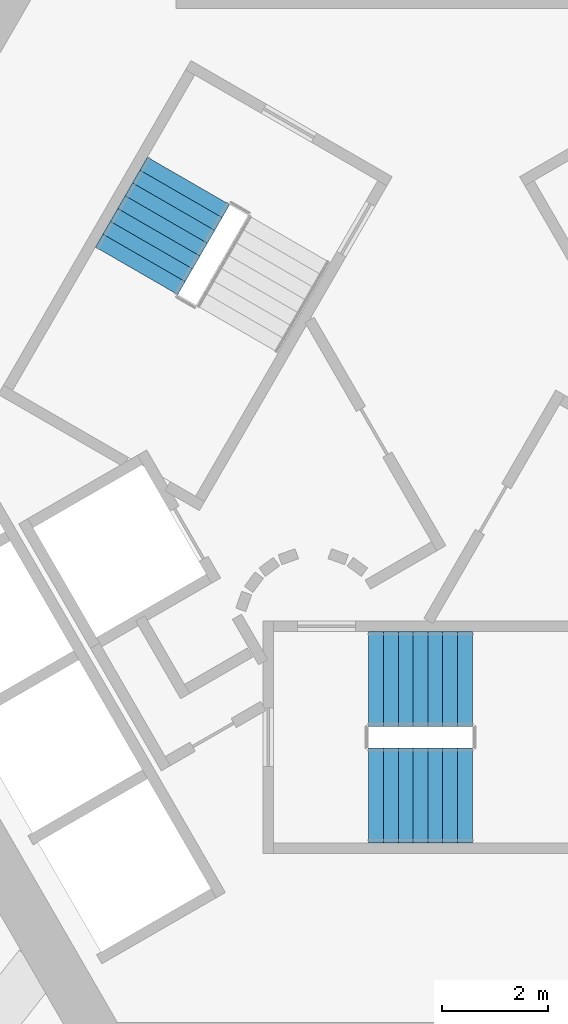
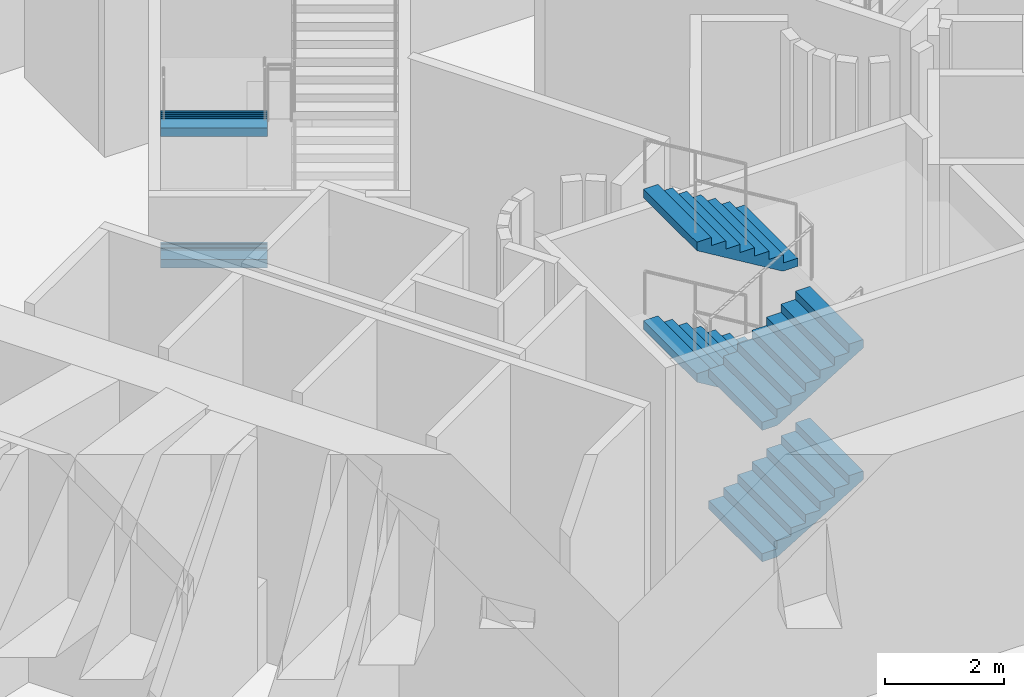
# One storey, part 12 of 21: 6 stair flights, 2 elements without a shape of their own.
"""IFC4 building model written with IfcOpenShell, lengths in metres."""

import ifcopenshell
import ifcopenshell.guid

model = None  # the IFC model being written
_history = None  # IfcOwnerHistory: only IFC2X3 demands one
_inside = {}  # id of a spatial element -> (the spatial element, [elements in it])
_under = {}  # id of a project, library or spatial element -> (it, [spatial elements below it])
_declared = {}  # id of a project -> (the project, [libraries it declares])
_typed = {}  # id of a type object -> (the type object, [elements of that type])
_made_of = {}  # id of a material, layer set ... -> (it, [elements and type objects made of it])


def new_model(schema):
    """Start an empty IFC model of exactly this schema.

    Asked for "IFC4X3", IfcOpenShell would pick the latest addendum, in which some entities
    have other attributes; the version numbers below select the first issue.
    IFC2X3 requires an IfcOwnerHistory on every rooted entity: one is made here for all.
    """
    global model, _history
    if schema == "IFC4X3":
        model = ifcopenshell.file(schema_version=(4, 3, 0, 0))
    else:
        model = ifcopenshell.file(schema=schema)
    _inside.clear()
    _under.clear()
    _declared.clear()
    _typed.clear()
    _made_of.clear()
    _history = None
    if model.schema == "IFC2X3":
        org = make("IfcOrganization", Name="unknown")
        user = make(
            "IfcPersonAndOrganization",
            ThePerson=make("IfcPerson", FamilyName="unknown"),
            TheOrganization=org,
        )
        app = make(
            "IfcApplication",
            ApplicationDeveloper=org,
            Version="unknown",
            ApplicationFullName="unknown",
            ApplicationIdentifier="unknown",
        )
        _history = make(
            "IfcOwnerHistory",
            OwningUser=user,
            OwningApplication=app,
            ChangeAction="ADDED",
            CreationDate=0,
        )
    return model


def make(cls, **values):
    """One entity of the class cls with the attributes given. An attribute that is None is left unset."""
    return model.create_entity(
        cls, **{name: value for name, value in values.items() if value is not None}
    )


def rooted(cls, **values):
    """An entity with a GlobalId (a new one), such as an element, a storey or a relation."""
    return make(cls, GlobalId=ifcopenshell.guid.new(), OwnerHistory=_history, **values)


def si_unit(unit_type, name, prefix=None):
    """IfcSIUnit, for example si_unit("LENGTHUNIT", "METRE", prefix="MILLI")."""
    return make("IfcSIUnit", UnitType=unit_type, Prefix=prefix, Name=name)


def assignment(units):
    """IfcUnitAssignment: the units of a project."""
    return None if units is None else make("IfcUnitAssignment", Units=units)


def point(xyz):
    """IfcCartesianPoint."""
    return None if xyz is None else make("IfcCartesianPoint", Coordinates=xyz)


def direction(xyz):
    """IfcDirection."""
    return None if xyz is None else make("IfcDirection", DirectionRatios=xyz)


def frame(location, z_axis=None, x_axis=None):
    """IfcAxis2Placement3D, a coordinate frame: its origin and axes. An axis left out is left unset."""
    return make(
        "IfcAxis2Placement3D",
        Location=point(location),
        Axis=direction(z_axis),
        RefDirection=direction(x_axis),
    )


def origin():
    """The frame at (0, 0, 0) with its axes left unset."""
    return frame((0.0, 0.0, 0.0))


def place(relative_to, where):
    """IfcLocalPlacement: puts the frame where relative to a parent placement (None: the world)."""
    return make(
        "IfcLocalPlacement", PlacementRelTo=relative_to, RelativePlacement=where
    )


def context(
    kind, dimensions, precision=None, world=None, true_north=None, identifier=None
):
    """IfcGeometricRepresentationContext, for example the 3D "Model" context."""
    return make(
        "IfcGeometricRepresentationContext",
        ContextIdentifier=identifier,
        ContextType=kind,
        CoordinateSpaceDimension=dimensions,
        Precision=precision,
        WorldCoordinateSystem=world,
        TrueNorth=true_north,
    )


def subcontext(parent, identifier, kind, view, scale=None):
    """IfcGeometricRepresentationSubContext, for example "Body" below "Model"."""
    return make(
        "IfcGeometricRepresentationSubContext",
        ContextIdentifier=identifier,
        ContextType=kind,
        ParentContext=parent,
        TargetScale=scale,
        TargetView=view,
    )


def project(units=None, contexts=None):
    """IfcProject with its units and contexts."""
    return rooted(
        "IfcProject",
        Name="project",
        RepresentationContexts=contexts,
        UnitsInContext=assignment(units),
    )


def spatial(cls, under=None, at=None, **own):
    """A site, building, storey or space (cls), placed at a placement, below another one or the project."""
    s = rooted(cls, ObjectPlacement=at, **own)
    if under is not None:
        _under.setdefault(under.id(), (under, []))[1].append(s)
    return s


def point_list(points):
    """IfcCartesianPointList2D or 3D."""
    cls = (
        "IfcCartesianPointList2D" if len(points[0]) == 2 else "IfcCartesianPointList3D"
    )
    return make(cls, CoordList=points)


def triangles(points, corners, closed=None, point_numbers=None):
    """IfcTriangulatedFaceSet: each triangle names its three corners, points numbered from 1."""
    return make(
        "IfcTriangulatedFaceSet",
        Coordinates=point_list(points),
        Closed=closed,
        CoordIndex=corners,
        PnIndex=point_numbers,
    )


def shape(context_of_items, identifier, shape_type, items):
    """IfcShapeRepresentation: the items that make up one representation, for example the "Body"."""
    return make(
        "IfcShapeRepresentation",
        ContextOfItems=context_of_items,
        RepresentationIdentifier=identifier,
        RepresentationType=shape_type,
        Items=items,
    )


def material(Name=None, Category=None):
    """IfcMaterial."""
    return make("IfcMaterial", Name=Name, Category=Category)


def made_of(thing, what):
    """Note that an element or type object is made of a material, layer set ...; save() writes the relation."""
    if what is not None:
        _made_of.setdefault(what.id(), (what, []))[1].append(thing)
    return thing


def type_object(cls, material=None, **own):
    """A type object (cls), such as IfcWallType, which elements share."""
    return made_of(rooted(cls, **own), material)


def element(
    cls,
    number,
    at=None,
    inside=None,
    cuts=None,
    type_object=None,
    material=None,
    context=None,
    identifier="Body",
    shape_type=None,
    held_by="IfcProductDefinitionShape",
    body=None,
    shapes=None,
    **own,
):
    """One element of the class cls, such as IfcWall. Its Tag is "e" and its number.

    at: its placement. inside: the storey or other place that contains it. cuts: it is an
    opening in that element (IfcRelVoidsElement). A single representation is given by context,
    identifier, shape_type and body (its items); several are given by shapes. held_by: the class
    of the entity that holds the representations. save() writes the other relations.
    """
    e = rooted(cls, Tag="e%d" % number, ObjectPlacement=at, **own)
    if body is not None:
        shapes = [shape(context, identifier, shape_type, body)]
    if shapes is not None:
        e.Representation = make(held_by, Representations=shapes)
    if inside is not None:
        _inside.setdefault(inside.id(), (inside, []))[1].append(e)
    if cuts is not None:
        rooted(
            "IfcRelVoidsElement", RelatingBuildingElement=cuts, RelatedOpeningElement=e
        )
    if type_object is not None:
        _typed.setdefault(type_object.id(), (type_object, []))[1].append(e)
    return made_of(e, material)


def aggregate(whole, parts):
    """IfcRelAggregates: a whole, such as a stair, and the parts it consists of."""
    return rooted("IfcRelAggregates", RelatingObject=whole, RelatedObjects=parts)


def save(model, path):
    """Write the relations noted so far, then the file.

    IfcRelAggregates (storeys below a building ...), IfcRelContainedInSpatialStructure (elements
    in a storey), IfcRelDefinesByType, IfcRelAssociatesMaterial and IfcRelDeclares: one each for
    every whole, place, type object, material and project.
    """
    for whole, parts in _under.values():
        aggregate(whole, parts)
    for where, things in _inside.values():
        rooted(
            "IfcRelContainedInSpatialStructure",
            RelatedElements=things,
            RelatingStructure=where,
        )
    for kind, things in _typed.values():
        rooted("IfcRelDefinesByType", RelatedObjects=things, RelatingType=kind)
    for what, things in _made_of.values():
        rooted("IfcRelAssociatesMaterial", RelatedObjects=things, RelatingMaterial=what)
    for by, libraries in _declared.values():
        rooted("IfcRelDeclares", RelatingContext=by, RelatedDefinitions=libraries)
    model.write(path)


model = new_model("IFC4")

# Units and contexts
model_context = context("Model", 3, precision=1e-05, world=origin(), true_north=direction((0.0, 1.0)))
body_context = subcontext(model_context, "Body", "Model", "MODEL_VIEW")
ifc_project = project(units=[si_unit("LENGTHUNIT", "METRE"), si_unit("AREAUNIT", "SQUARE_METRE"), si_unit("VOLUMEUNIT", "CUBIC_METRE"), si_unit("PLANEANGLEUNIT", "RADIAN"), si_unit("MASSUNIT", "GRAM", prefix="KILO")], contexts=[model_context])

# Site, building, storey
site_placement = place(None, origin())
site = spatial("IfcSite", under=ifc_project, at=site_placement, CompositionType="ELEMENT")
building_placement = place(site_placement, origin())
building = spatial("IfcBuilding", under=site, at=building_placement, Name="Entoto Arch Interchange Tower", CompositionType="ELEMENT")
storey_placement = place(building_placement, frame((0.0, 0.0, 81.199951171875)))
storey = spatial("IfcBuildingStorey", under=building, at=storey_placement, Name="L17", CompositionType="ELEMENT", Elevation=81.199951171875)

# Stair, stair flights
ifc_material = material(Name="Concrete C40/50", Category="concrete")
stair_type = type_object("IfcStairType", Name="EXIT STAIR RC 1800", PredefinedType="HALF_TURN_STAIR", material=ifc_material)
stair_1_placement = place(storey_placement, origin())
stair_1 = element("IfcStair", 1, at=stair_1_placement, inside=storey, type_object=stair_type, Name="L17 Exit stair S", PredefinedType="HALF_TURN_STAIR")
stair_flight_type = type_object("IfcStairFlightType", Name="EXIT STAIR FLIGHT RC 1800", PredefinedType="STRAIGHT", material=ifc_material)
stair_flight_1_placement = place(storey_placement, frame((-1.64990234375, -4.300048828125, 0.0), z_axis=(0.0, 0.0, 1.0), x_axis=(1.0, 0.0, 0.0)))
stair_flight_1 = element("IfcStairFlight", 2, at=stair_flight_1_placement, type_object=stair_flight_type, Name="ST-S flight 1", NumberOfRisers=8, NumberOfTreads=7, PredefinedType="STRAIGHT", RiserHeight=0.16875, TreadLength=0.28, context=body_context, shape_type="Tessellation", body=[
    triangles([(-0.003, -0.900024, 0.0), (-0.003, -0.900024, 0.16875), (0.28, -0.900024, 0.16875), (0.28, -0.900024, 0.3375), (0.56, -0.900024, 0.3375), (0.56, -0.900024, 0.50625), (0.84, -0.900024, 0.50625), (0.84, -0.900024, 0.675), (1.12, -0.900024, 0.675), (1.12, -0.900024, 0.84375), (1.4, -0.900024, 0.84375), (1.4, -0.900024, 1.0125), (1.68, -0.900024, 1.0125), (1.68, -0.900024, 1.18125), (1.96, -0.900024, 1.18125), (1.963, -0.900024, 1.18125), (1.963, -0.900024, 1.008036), (0.290406, -0.900024, 0.0), (-0.003, 0.900024, 0.0), (-0.003, 0.900024, 0.16875), (0.28, 0.900024, 0.16875), (0.28, 0.900024, 0.3375), (0.56, 0.900024, 0.3375), (0.56, 0.900024, 0.50625), (0.84, 0.900024, 0.50625), (0.84, 0.900024, 0.675), (1.12, 0.900024, 0.675), (1.12, 0.900024, 0.84375), (1.4, 0.900024, 0.84375), (1.4, 0.900024, 1.0125), (1.68, 0.900024, 1.0125), (1.68, 0.900024, 1.18125), (1.96, 0.900024, 1.18125), (1.963, 0.900024, 1.18125), (1.963, 0.900024, 1.008036), (0.290406, 0.900024, 0.0), (-0.003, -0.450012, 0.0), (-0.003, -0.450012, 0.16875), (-0.003, 0.0, 0.0), (-0.003, 0.0, 0.16875), (-0.003, 0.450012, 0.0), (-0.003, 0.450012, 0.16875), (0.28, -0.450012, 0.16875), (0.28, 0.0, 0.16875), (0.28, 0.450012, 0.16875), (0.28, -0.450012, 0.3375), (0.28, 0.0, 0.3375), (0.28, 0.450012, 0.3375), (0.56, -0.450012, 0.3375), (0.56, 0.0, 0.3375), (0.56, 0.450012, 0.3375), (0.56, -0.450012, 0.50625), (0.56, 0.0, 0.50625), (0.56, 0.450012, 0.50625), (0.84, -0.450012, 0.50625), (0.84, 0.0, 0.50625), (0.84, 0.450012, 0.50625), (0.84, -0.450012, 0.675), (0.84, 0.0, 0.675), (0.84, 0.450012, 0.675), (1.12, -0.450012, 0.675), (1.12, 0.0, 0.675), (1.12, 0.450012, 0.675), (1.12, -0.450012, 0.84375), (1.12, 0.0, 0.84375), (1.12, 0.450012, 0.84375), (1.4, -0.450012, 0.84375), (1.4, 0.0, 0.84375), (1.4, 0.450012, 0.84375), (1.4, -0.450012, 1.0125), (1.4, 0.0, 1.0125), (1.4, 0.450012, 1.0125), (1.68, -0.450012, 1.0125), (1.68, 0.0, 1.0125), (1.68, 0.450012, 1.0125), (1.68, -0.450012, 1.18125), (1.68, 0.0, 1.18125), (1.68, 0.450012, 1.18125), (1.96, -0.450012, 1.18125), (1.96, 0.0, 1.18125), (1.96, 0.450012, 1.18125), (1.963, -0.450012, 1.18125), (1.963, 0.0, 1.18125), (1.963, 0.450012, 1.18125), (1.963, -0.450012, 1.008036), (1.963, 0.0, 1.008036), (1.963, 0.450012, 1.008036), (0.290406, -0.450012, 0.0), (0.290406, 0.0, 0.0), (0.290406, 0.450012, 0.0)], [[1, 18, 17], [17, 16, 15], [17, 15, 14], [17, 14, 13], [17, 13, 12], [17, 12, 11], [11, 10, 9], [17, 11, 9], [9, 8, 7], [17, 9, 7], [7, 6, 5], [17, 7, 5], [5, 4, 3], [17, 5, 3], [1, 17, 3], [3, 2, 1], [19, 35, 36], [35, 33, 34], [35, 32, 33], [35, 31, 32], [35, 30, 31], [35, 29, 30], [29, 27, 28], [35, 27, 29], [27, 25, 26], [35, 25, 27], [25, 23, 24], [35, 23, 25], [23, 21, 22], [35, 21, 23], [19, 21, 35], [21, 19, 20], [1, 2, 38], [1, 38, 37], [37, 38, 40], [37, 40, 39], [39, 40, 42], [39, 42, 41], [41, 42, 20], [41, 20, 19], [2, 3, 43], [2, 43, 38], [38, 43, 44], [38, 44, 40], [40, 44, 45], [40, 45, 42], [42, 45, 21], [42, 21, 20], [3, 4, 46], [3, 46, 43], [43, 46, 47], [43, 47, 44], [44, 47, 48], [44, 48, 45], [45, 48, 22], [45, 22, 21], [4, 5, 49], [4, 49, 46], [46, 49, 50], [46, 50, 47], [47, 50, 51], [47, 51, 48], [48, 51, 23], [48, 23, 22], [5, 6, 52], [5, 52, 49], [49, 52, 53], [49, 53, 50], [50, 53, 54], [50, 54, 51], [51, 54, 24], [51, 24, 23], [6, 7, 55], [6, 55, 52], [52, 55, 56], [52, 56, 53], [53, 56, 57], [53, 57, 54], [54, 57, 25], [54, 25, 24], [7, 8, 58], [7, 58, 55], [55, 58, 59], [55, 59, 56], [56, 59, 60], [56, 60, 57], [57, 60, 26], [57, 26, 25], [8, 9, 61], [8, 61, 58], [58, 61, 62], [58, 62, 59], [59, 62, 63], [59, 63, 60], [60, 63, 27], [60, 27, 26], [9, 10, 64], [9, 64, 61], [61, 64, 65], [61, 65, 62], [62, 65, 66], [62, 66, 63], [63, 66, 28], [63, 28, 27], [10, 11, 67], [10, 67, 64], [64, 67, 68], [64, 68, 65], [65, 68, 69], [65, 69, 66], [66, 69, 29], [66, 29, 28], [11, 12, 70], [11, 70, 67], [67, 70, 71], [67, 71, 68], [68, 71, 72], [68, 72, 69], [69, 72, 30], [69, 30, 29], [12, 13, 73], [12, 73, 70], [70, 73, 74], [70, 74, 71], [71, 74, 75], [71, 75, 72], [72, 75, 31], [72, 31, 30], [13, 14, 76], [13, 76, 73], [73, 76, 77], [73, 77, 74], [74, 77, 78], [74, 78, 75], [75, 78, 32], [75, 32, 31], [14, 15, 79], [14, 79, 76], [76, 79, 80], [76, 80, 77], [77, 80, 81], [77, 81, 78], [78, 81, 33], [78, 33, 32], [15, 16, 82], [15, 82, 79], [79, 82, 83], [79, 83, 80], [80, 83, 84], [80, 84, 81], [81, 84, 34], [81, 34, 33], [16, 17, 85], [16, 85, 82], [82, 85, 86], [82, 86, 83], [83, 86, 87], [83, 87, 84], [84, 87, 35], [84, 35, 34], [17, 18, 88], [17, 88, 85], [85, 88, 89], [85, 89, 86], [86, 89, 90], [86, 90, 87], [87, 90, 36], [87, 36, 35], [18, 1, 37], [18, 37, 88], [88, 37, 39], [88, 39, 89], [89, 39, 41], [89, 41, 90], [90, 41, 19], [90, 19, 36]], closed=True),
])
stair_flight_2_placement = place(storey_placement, frame((0.31005859375, -2.10009765625, 1.35009765625), z_axis=(0.0, 0.0, 1.0), x_axis=(-1.0, 0.0, 0.0)))
stair_flight_2 = element("IfcStairFlight", 3, at=stair_flight_2_placement, type_object=stair_flight_type, Name="ST-S flight 2", NumberOfRisers=8, NumberOfTreads=7, PredefinedType="STRAIGHT", RiserHeight=0.16875, TreadLength=0.28, context=body_context, shape_type="Tessellation", body=[
    triangles([(-0.003, -0.900024, 0.0), (-0.003, -0.900024, 0.16875), (0.28, -0.900024, 0.16875), (0.28, -0.900024, 0.3375), (0.56, -0.900024, 0.3375), (0.56, -0.900024, 0.50625), (0.84, -0.900024, 0.50625), (0.84, -0.900024, 0.675), (1.12, -0.900024, 0.675), (1.12, -0.900024, 0.84375), (1.4, -0.900024, 0.84375), (1.4, -0.900024, 1.0125), (1.68, -0.900024, 1.0125), (1.68, -0.900024, 1.18125), (1.96, -0.900024, 1.18125), (1.963, -0.900024, 1.18125), (1.963, -0.900024, 1.008036), (0.290406, -0.900024, 0.0), (-0.003, 0.900024, 0.0), (-0.003, 0.900024, 0.16875), (0.28, 0.900024, 0.16875), (0.28, 0.900024, 0.3375), (0.56, 0.900024, 0.3375), (0.56, 0.900024, 0.50625), (0.84, 0.900024, 0.50625), (0.84, 0.900024, 0.675), (1.12, 0.900024, 0.675), (1.12, 0.900024, 0.84375), (1.4, 0.900024, 0.84375), (1.4, 0.900024, 1.0125), (1.68, 0.900024, 1.0125), (1.68, 0.900024, 1.18125), (1.96, 0.900024, 1.18125), (1.963, 0.900024, 1.18125), (1.963, 0.900024, 1.008036), (0.290406, 0.900024, 0.0), (-0.003, -0.450012, 0.0), (-0.003, -0.450012, 0.16875), (-0.003, 0.0, 0.0), (-0.003, 0.0, 0.16875), (-0.003, 0.450012, 0.0), (-0.003, 0.450012, 0.16875), (0.28, -0.450012, 0.16875), (0.28, 0.0, 0.16875), (0.28, 0.450012, 0.16875), (0.28, -0.450012, 0.3375), (0.28, 0.0, 0.3375), (0.28, 0.450012, 0.3375), (0.56, -0.450012, 0.3375), (0.56, 0.0, 0.3375), (0.56, 0.450012, 0.3375), (0.56, -0.450012, 0.50625), (0.56, 0.0, 0.50625), (0.56, 0.450012, 0.50625), (0.84, -0.450012, 0.50625), (0.84, 0.0, 0.50625), (0.84, 0.450012, 0.50625), (0.84, -0.450012, 0.675), (0.84, 0.0, 0.675), (0.84, 0.450012, 0.675), (1.12, -0.450012, 0.675), (1.12, 0.0, 0.675), (1.12, 0.450012, 0.675), (1.12, -0.450012, 0.84375), (1.12, 0.0, 0.84375), (1.12, 0.450012, 0.84375), (1.4, -0.450012, 0.84375), (1.4, 0.0, 0.84375), (1.4, 0.450012, 0.84375), (1.4, -0.450012, 1.0125), (1.4, 0.0, 1.0125), (1.4, 0.450012, 1.0125), (1.68, -0.450012, 1.0125), (1.68, 0.0, 1.0125), (1.68, 0.450012, 1.0125), (1.68, -0.450012, 1.18125), (1.68, 0.0, 1.18125), (1.68, 0.450012, 1.18125), (1.96, -0.450012, 1.18125), (1.96, 0.0, 1.18125), (1.96, 0.450012, 1.18125), (1.963, -0.450012, 1.18125), (1.963, 0.0, 1.18125), (1.963, 0.450012, 1.18125), (1.963, -0.450012, 1.008036), (1.963, 0.0, 1.008036), (1.963, 0.450012, 1.008036), (0.290406, -0.450012, 0.0), (0.290406, 0.0, 0.0), (0.290406, 0.450012, 0.0)], [[1, 18, 17], [17, 16, 15], [17, 15, 14], [17, 14, 13], [17, 13, 12], [17, 12, 11], [11, 10, 9], [17, 11, 9], [9, 8, 7], [17, 9, 7], [7, 6, 5], [17, 7, 5], [5, 4, 3], [17, 5, 3], [1, 17, 3], [3, 2, 1], [19, 35, 36], [35, 33, 34], [35, 32, 33], [35, 31, 32], [35, 30, 31], [35, 29, 30], [29, 27, 28], [35, 27, 29], [27, 25, 26], [35, 25, 27], [25, 23, 24], [35, 23, 25], [23, 21, 22], [35, 21, 23], [19, 21, 35], [21, 19, 20], [1, 2, 38], [1, 38, 37], [37, 38, 40], [37, 40, 39], [39, 40, 42], [39, 42, 41], [41, 42, 20], [41, 20, 19], [2, 3, 43], [2, 43, 38], [38, 43, 44], [38, 44, 40], [40, 44, 45], [40, 45, 42], [42, 45, 21], [42, 21, 20], [3, 4, 46], [3, 46, 43], [43, 46, 47], [43, 47, 44], [44, 47, 48], [44, 48, 45], [45, 48, 22], [45, 22, 21], [4, 5, 49], [4, 49, 46], [46, 49, 50], [46, 50, 47], [47, 50, 51], [47, 51, 48], [48, 51, 23], [48, 23, 22], [5, 6, 52], [5, 52, 49], [49, 52, 53], [49, 53, 50], [50, 53, 54], [50, 54, 51], [51, 54, 24], [51, 24, 23], [6, 7, 55], [6, 55, 52], [52, 55, 56], [52, 56, 53], [53, 56, 57], [53, 57, 54], [54, 57, 25], [54, 25, 24], [7, 8, 58], [7, 58, 55], [55, 58, 59], [55, 59, 56], [56, 59, 60], [56, 60, 57], [57, 60, 26], [57, 26, 25], [8, 9, 61], [8, 61, 58], [58, 61, 62], [58, 62, 59], [59, 62, 63], [59, 63, 60], [60, 63, 27], [60, 27, 26], [9, 10, 64], [9, 64, 61], [61, 64, 65], [61, 65, 62], [62, 65, 66], [62, 66, 63], [63, 66, 28], [63, 28, 27], [10, 11, 67], [10, 67, 64], [64, 67, 68], [64, 68, 65], [65, 68, 69], [65, 69, 66], [66, 69, 29], [66, 29, 28], [11, 12, 70], [11, 70, 67], [67, 70, 71], [67, 71, 68], [68, 71, 72], [68, 72, 69], [69, 72, 30], [69, 30, 29], [12, 13, 73], [12, 73, 70], [70, 73, 74], [70, 74, 71], [71, 74, 75], [71, 75, 72], [72, 75, 31], [72, 31, 30], [13, 14, 76], [13, 76, 73], [73, 76, 77], [73, 77, 74], [74, 77, 78], [74, 78, 75], [75, 78, 32], [75, 32, 31], [14, 15, 79], [14, 79, 76], [76, 79, 80], [76, 80, 77], [77, 80, 81], [77, 81, 78], [78, 81, 33], [78, 33, 32], [15, 16, 82], [15, 82, 79], [79, 82, 83], [79, 83, 80], [80, 83, 84], [80, 84, 81], [81, 84, 34], [81, 34, 33], [16, 17, 85], [16, 85, 82], [82, 85, 86], [82, 86, 83], [83, 86, 87], [83, 87, 84], [84, 87, 35], [84, 35, 34], [17, 18, 88], [17, 88, 85], [85, 88, 89], [85, 89, 86], [86, 89, 90], [86, 90, 87], [87, 90, 36], [87, 36, 35], [18, 1, 37], [18, 37, 88], [88, 37, 39], [88, 39, 89], [89, 39, 41], [89, 41, 90], [90, 41, 19], [90, 19, 36]], closed=True),
])
stair_flight_3_placement = place(storey_placement, frame((-1.64990234375, -4.300048828125, 2.699951171875), z_axis=(0.0, 0.0, 1.0), x_axis=(1.0, 0.0, 0.0)))
stair_flight_3 = element("IfcStairFlight", 4, at=stair_flight_3_placement, type_object=stair_flight_type, Name="ST-S flight 3", NumberOfRisers=8, NumberOfTreads=7, PredefinedType="STRAIGHT", RiserHeight=0.16875, TreadLength=0.28, context=body_context, shape_type="Tessellation", body=[
    triangles([(-0.003, -0.900024, 0.0), (-0.003, -0.900024, 0.16875), (0.28, -0.900024, 0.16875), (0.28, -0.900024, 0.3375), (0.56, -0.900024, 0.3375), (0.56, -0.900024, 0.50625), (0.84, -0.900024, 0.50625), (0.84, -0.900024, 0.675), (1.12, -0.900024, 0.675), (1.12, -0.900024, 0.84375), (1.4, -0.900024, 0.84375), (1.4, -0.900024, 1.0125), (1.68, -0.900024, 1.0125), (1.68, -0.900024, 1.18125), (1.96, -0.900024, 1.18125), (1.963, -0.900024, 1.18125), (1.963, -0.900024, 1.008036), (0.290406, -0.900024, 0.0), (-0.003, 0.900024, 0.0), (-0.003, 0.900024, 0.16875), (0.28, 0.900024, 0.16875), (0.28, 0.900024, 0.3375), (0.56, 0.900024, 0.3375), (0.56, 0.900024, 0.50625), (0.84, 0.900024, 0.50625), (0.84, 0.900024, 0.675), (1.12, 0.900024, 0.675), (1.12, 0.900024, 0.84375), (1.4, 0.900024, 0.84375), (1.4, 0.900024, 1.0125), (1.68, 0.900024, 1.0125), (1.68, 0.900024, 1.18125), (1.96, 0.900024, 1.18125), (1.963, 0.900024, 1.18125), (1.963, 0.900024, 1.008036), (0.290406, 0.900024, 0.0), (-0.003, -0.450012, 0.0), (-0.003, -0.450012, 0.16875), (-0.003, 0.0, 0.0), (-0.003, 0.0, 0.16875), (-0.003, 0.450012, 0.0), (-0.003, 0.450012, 0.16875), (0.28, -0.450012, 0.16875), (0.28, 0.0, 0.16875), (0.28, 0.450012, 0.16875), (0.28, -0.450012, 0.3375), (0.28, 0.0, 0.3375), (0.28, 0.450012, 0.3375), (0.56, -0.450012, 0.3375), (0.56, 0.0, 0.3375), (0.56, 0.450012, 0.3375), (0.56, -0.450012, 0.50625), (0.56, 0.0, 0.50625), (0.56, 0.450012, 0.50625), (0.84, -0.450012, 0.50625), (0.84, 0.0, 0.50625), (0.84, 0.450012, 0.50625), (0.84, -0.450012, 0.675), (0.84, 0.0, 0.675), (0.84, 0.450012, 0.675), (1.12, -0.450012, 0.675), (1.12, 0.0, 0.675), (1.12, 0.450012, 0.675), (1.12, -0.450012, 0.84375), (1.12, 0.0, 0.84375), (1.12, 0.450012, 0.84375), (1.4, -0.450012, 0.84375), (1.4, 0.0, 0.84375), (1.4, 0.450012, 0.84375), (1.4, -0.450012, 1.0125), (1.4, 0.0, 1.0125), (1.4, 0.450012, 1.0125), (1.68, -0.450012, 1.0125), (1.68, 0.0, 1.0125), (1.68, 0.450012, 1.0125), (1.68, -0.450012, 1.18125), (1.68, 0.0, 1.18125), (1.68, 0.450012, 1.18125), (1.96, -0.450012, 1.18125), (1.96, 0.0, 1.18125), (1.96, 0.450012, 1.18125), (1.963, -0.450012, 1.18125), (1.963, 0.0, 1.18125), (1.963, 0.450012, 1.18125), (1.963, -0.450012, 1.008036), (1.963, 0.0, 1.008036), (1.963, 0.450012, 1.008036), (0.290406, -0.450012, 0.0), (0.290406, 0.0, 0.0), (0.290406, 0.450012, 0.0)], [[1, 18, 17], [17, 16, 15], [17, 15, 14], [17, 14, 13], [17, 13, 12], [17, 12, 11], [11, 10, 9], [17, 11, 9], [9, 8, 7], [17, 9, 7], [7, 6, 5], [17, 7, 5], [5, 4, 3], [17, 5, 3], [1, 17, 3], [3, 2, 1], [19, 35, 36], [35, 33, 34], [35, 32, 33], [35, 31, 32], [35, 30, 31], [35, 29, 30], [29, 27, 28], [35, 27, 29], [27, 25, 26], [35, 25, 27], [25, 23, 24], [35, 23, 25], [23, 21, 22], [35, 21, 23], [19, 21, 35], [21, 19, 20], [1, 2, 38], [1, 38, 37], [37, 38, 40], [37, 40, 39], [39, 40, 42], [39, 42, 41], [41, 42, 20], [41, 20, 19], [2, 3, 43], [2, 43, 38], [38, 43, 44], [38, 44, 40], [40, 44, 45], [40, 45, 42], [42, 45, 21], [42, 21, 20], [3, 4, 46], [3, 46, 43], [43, 46, 47], [43, 47, 44], [44, 47, 48], [44, 48, 45], [45, 48, 22], [45, 22, 21], [4, 5, 49], [4, 49, 46], [46, 49, 50], [46, 50, 47], [47, 50, 51], [47, 51, 48], [48, 51, 23], [48, 23, 22], [5, 6, 52], [5, 52, 49], [49, 52, 53], [49, 53, 50], [50, 53, 54], [50, 54, 51], [51, 54, 24], [51, 24, 23], [6, 7, 55], [6, 55, 52], [52, 55, 56], [52, 56, 53], [53, 56, 57], [53, 57, 54], [54, 57, 25], [54, 25, 24], [7, 8, 58], [7, 58, 55], [55, 58, 59], [55, 59, 56], [56, 59, 60], [56, 60, 57], [57, 60, 26], [57, 26, 25], [8, 9, 61], [8, 61, 58], [58, 61, 62], [58, 62, 59], [59, 62, 63], [59, 63, 60], [60, 63, 27], [60, 27, 26], [9, 10, 64], [9, 64, 61], [61, 64, 65], [61, 65, 62], [62, 65, 66], [62, 66, 63], [63, 66, 28], [63, 28, 27], [10, 11, 67], [10, 67, 64], [64, 67, 68], [64, 68, 65], [65, 68, 69], [65, 69, 66], [66, 69, 29], [66, 29, 28], [11, 12, 70], [11, 70, 67], [67, 70, 71], [67, 71, 68], [68, 71, 72], [68, 72, 69], [69, 72, 30], [69, 30, 29], [12, 13, 73], [12, 73, 70], [70, 73, 74], [70, 74, 71], [71, 74, 75], [71, 75, 72], [72, 75, 31], [72, 31, 30], [13, 14, 76], [13, 76, 73], [73, 76, 77], [73, 77, 74], [74, 77, 78], [74, 78, 75], [75, 78, 32], [75, 32, 31], [14, 15, 79], [14, 79, 76], [76, 79, 80], [76, 80, 77], [77, 80, 81], [77, 81, 78], [78, 81, 33], [78, 33, 32], [15, 16, 82], [15, 82, 79], [79, 82, 83], [79, 83, 80], [80, 83, 84], [80, 84, 81], [81, 84, 34], [81, 34, 33], [16, 17, 85], [16, 85, 82], [82, 85, 86], [82, 86, 83], [83, 86, 87], [83, 87, 84], [84, 87, 35], [84, 35, 34], [17, 18, 88], [17, 88, 85], [85, 88, 89], [85, 89, 86], [86, 89, 90], [86, 90, 87], [87, 90, 36], [87, 36, 35], [18, 1, 37], [18, 37, 88], [88, 37, 39], [88, 39, 89], [89, 39, 41], [89, 41, 90], [90, 41, 19], [90, 19, 36]], closed=True),
])
stair_flight_4_placement = place(storey_placement, frame((0.31005859375, -2.10009765625, 4.050048828125), z_axis=(0.0, 0.0, 1.0), x_axis=(-1.0, 0.0, 0.0)))
stair_flight_4 = element("IfcStairFlight", 5, at=stair_flight_4_placement, type_object=stair_flight_type, Name="ST-S flight 4", NumberOfRisers=8, NumberOfTreads=7, PredefinedType="STRAIGHT", RiserHeight=0.16875, TreadLength=0.28, context=body_context, shape_type="Tessellation", body=[
    triangles([(-0.003, -0.900024, 0.0), (-0.003, -0.900024, 0.16875), (0.28, -0.900024, 0.16875), (0.28, -0.900024, 0.3375), (0.56, -0.900024, 0.3375), (0.56, -0.900024, 0.50625), (0.84, -0.900024, 0.50625), (0.84, -0.900024, 0.675), (1.12, -0.900024, 0.675), (1.12, -0.900024, 0.84375), (1.4, -0.900024, 0.84375), (1.4, -0.900024, 1.0125), (1.68, -0.900024, 1.0125), (1.68, -0.900024, 1.18125), (1.96, -0.900024, 1.18125), (1.963, -0.900024, 1.18125), (1.963, -0.900024, 1.008036), (0.290406, -0.900024, 0.0), (-0.003, 0.900024, 0.0), (-0.003, 0.900024, 0.16875), (0.28, 0.900024, 0.16875), (0.28, 0.900024, 0.3375), (0.56, 0.900024, 0.3375), (0.56, 0.900024, 0.50625), (0.84, 0.900024, 0.50625), (0.84, 0.900024, 0.675), (1.12, 0.900024, 0.675), (1.12, 0.900024, 0.84375), (1.4, 0.900024, 0.84375), (1.4, 0.900024, 1.0125), (1.68, 0.900024, 1.0125), (1.68, 0.900024, 1.18125), (1.96, 0.900024, 1.18125), (1.963, 0.900024, 1.18125), (1.963, 0.900024, 1.008036), (0.290406, 0.900024, 0.0), (-0.003, -0.450012, 0.0), (-0.003, -0.450012, 0.16875), (-0.003, 0.0, 0.0), (-0.003, 0.0, 0.16875), (-0.003, 0.450012, 0.0), (-0.003, 0.450012, 0.16875), (0.28, -0.450012, 0.16875), (0.28, 0.0, 0.16875), (0.28, 0.450012, 0.16875), (0.28, -0.450012, 0.3375), (0.28, 0.0, 0.3375), (0.28, 0.450012, 0.3375), (0.56, -0.450012, 0.3375), (0.56, 0.0, 0.3375), (0.56, 0.450012, 0.3375), (0.56, -0.450012, 0.50625), (0.56, 0.0, 0.50625), (0.56, 0.450012, 0.50625), (0.84, -0.450012, 0.50625), (0.84, 0.0, 0.50625), (0.84, 0.450012, 0.50625), (0.84, -0.450012, 0.675), (0.84, 0.0, 0.675), (0.84, 0.450012, 0.675), (1.12, -0.450012, 0.675), (1.12, 0.0, 0.675), (1.12, 0.450012, 0.675), (1.12, -0.450012, 0.84375), (1.12, 0.0, 0.84375), (1.12, 0.450012, 0.84375), (1.4, -0.450012, 0.84375), (1.4, 0.0, 0.84375), (1.4, 0.450012, 0.84375), (1.4, -0.450012, 1.0125), (1.4, 0.0, 1.0125), (1.4, 0.450012, 1.0125), (1.68, -0.450012, 1.0125), (1.68, 0.0, 1.0125), (1.68, 0.450012, 1.0125), (1.68, -0.450012, 1.18125), (1.68, 0.0, 1.18125), (1.68, 0.450012, 1.18125), (1.96, -0.450012, 1.18125), (1.96, 0.0, 1.18125), (1.96, 0.450012, 1.18125), (1.963, -0.450012, 1.18125), (1.963, 0.0, 1.18125), (1.963, 0.450012, 1.18125), (1.963, -0.450012, 1.008036), (1.963, 0.0, 1.008036), (1.963, 0.450012, 1.008036), (0.290406, -0.450012, 0.0), (0.290406, 0.0, 0.0), (0.290406, 0.450012, 0.0)], [[1, 18, 17], [17, 16, 15], [17, 15, 14], [17, 14, 13], [17, 13, 12], [17, 12, 11], [11, 10, 9], [17, 11, 9], [9, 8, 7], [17, 9, 7], [7, 6, 5], [17, 7, 5], [5, 4, 3], [17, 5, 3], [1, 17, 3], [3, 2, 1], [19, 35, 36], [35, 33, 34], [35, 32, 33], [35, 31, 32], [35, 30, 31], [35, 29, 30], [29, 27, 28], [35, 27, 29], [27, 25, 26], [35, 25, 27], [25, 23, 24], [35, 23, 25], [23, 21, 22], [35, 21, 23], [19, 21, 35], [21, 19, 20], [1, 2, 38], [1, 38, 37], [37, 38, 40], [37, 40, 39], [39, 40, 42], [39, 42, 41], [41, 42, 20], [41, 20, 19], [2, 3, 43], [2, 43, 38], [38, 43, 44], [38, 44, 40], [40, 44, 45], [40, 45, 42], [42, 45, 21], [42, 21, 20], [3, 4, 46], [3, 46, 43], [43, 46, 47], [43, 47, 44], [44, 47, 48], [44, 48, 45], [45, 48, 22], [45, 22, 21], [4, 5, 49], [4, 49, 46], [46, 49, 50], [46, 50, 47], [47, 50, 51], [47, 51, 48], [48, 51, 23], [48, 23, 22], [5, 6, 52], [5, 52, 49], [49, 52, 53], [49, 53, 50], [50, 53, 54], [50, 54, 51], [51, 54, 24], [51, 24, 23], [6, 7, 55], [6, 55, 52], [52, 55, 56], [52, 56, 53], [53, 56, 57], [53, 57, 54], [54, 57, 25], [54, 25, 24], [7, 8, 58], [7, 58, 55], [55, 58, 59], [55, 59, 56], [56, 59, 60], [56, 60, 57], [57, 60, 26], [57, 26, 25], [8, 9, 61], [8, 61, 58], [58, 61, 62], [58, 62, 59], [59, 62, 63], [59, 63, 60], [60, 63, 27], [60, 27, 26], [9, 10, 64], [9, 64, 61], [61, 64, 65], [61, 65, 62], [62, 65, 66], [62, 66, 63], [63, 66, 28], [63, 28, 27], [10, 11, 67], [10, 67, 64], [64, 67, 68], [64, 68, 65], [65, 68, 69], [65, 69, 66], [66, 69, 29], [66, 29, 28], [11, 12, 70], [11, 70, 67], [67, 70, 71], [67, 71, 68], [68, 71, 72], [68, 72, 69], [69, 72, 30], [69, 30, 29], [12, 13, 73], [12, 73, 70], [70, 73, 74], [70, 74, 71], [71, 74, 75], [71, 75, 72], [72, 75, 31], [72, 31, 30], [13, 14, 76], [13, 76, 73], [73, 76, 77], [73, 77, 74], [74, 77, 78], [74, 78, 75], [75, 78, 32], [75, 32, 31], [14, 15, 79], [14, 79, 76], [76, 79, 80], [76, 80, 77], [77, 80, 81], [77, 81, 78], [78, 81, 33], [78, 33, 32], [15, 16, 82], [15, 82, 79], [79, 82, 83], [79, 83, 80], [80, 83, 84], [80, 84, 81], [81, 84, 34], [81, 34, 33], [16, 17, 85], [16, 85, 82], [82, 85, 86], [82, 86, 83], [83, 86, 87], [83, 87, 84], [84, 87, 35], [84, 35, 34], [17, 18, 88], [17, 88, 85], [85, 88, 89], [85, 89, 86], [86, 89, 90], [86, 90, 87], [87, 90, 36], [87, 36, 35], [18, 1, 37], [18, 37, 88], [88, 37, 39], [88, 39, 89], [89, 39, 41], [89, 41, 90], [90, 41, 19], [90, 19, 36]], closed=True),
])
aggregate(stair_1, [stair_flight_1, stair_flight_2, stair_flight_3, stair_flight_4])

stair_2_placement = place(storey_placement, origin())
stair_2 = element("IfcStair", 6, at=stair_2_placement, inside=storey, type_object=stair_type, Name="L17 Exit stair NW", PredefinedType="HALF_TURN_STAIR")
stair_flight_5_placement = place(storey_placement, frame((-5.06396484375, 7.328857421875, 0.0), z_axis=(0.0, 0.0, 1.0), x_axis=(-0.5, -0.866025403784, 0.0)))
stair_flight_5 = element("IfcStairFlight", 7, at=stair_flight_5_placement, type_object=stair_flight_type, Name="ST-NW flight 1", NumberOfRisers=8, NumberOfTreads=7, PredefinedType="STRAIGHT", RiserHeight=0.16875, TreadLength=0.28, context=body_context, shape_type="Tessellation", body=[
    triangles([(-0.003, -0.900024, 0.0), (-0.003, -0.900024, 0.16875), (0.28, -0.900024, 0.16875), (0.28, -0.900024, 0.3375), (0.56, -0.900024, 0.3375), (0.56, -0.900024, 0.50625), (0.84, -0.900024, 0.50625), (0.84, -0.900024, 0.675), (1.12, -0.900024, 0.675), (1.12, -0.900024, 0.84375), (1.4, -0.900024, 0.84375), (1.4, -0.900024, 1.0125), (1.68, -0.900024, 1.0125), (1.68, -0.900024, 1.18125), (1.96, -0.900024, 1.18125), (1.963, -0.900024, 1.18125), (1.963, -0.900024, 1.008036), (0.290406, -0.900024, 0.0), (-0.003, 0.900024, 0.0), (-0.003, 0.900024, 0.16875), (0.28, 0.900024, 0.16875), (0.28, 0.900024, 0.3375), (0.56, 0.900024, 0.3375), (0.56, 0.900024, 0.50625), (0.84, 0.900024, 0.50625), (0.84, 0.900024, 0.675), (1.12, 0.900024, 0.675), (1.12, 0.900024, 0.84375), (1.4, 0.900024, 0.84375), (1.4, 0.900024, 1.0125), (1.68, 0.900024, 1.0125), (1.68, 0.900024, 1.18125), (1.96, 0.900024, 1.18125), (1.963, 0.900024, 1.18125), (1.963, 0.900024, 1.008036), (0.290406, 0.900024, 0.0), (-0.003, -0.450012, 0.0), (-0.003, -0.450012, 0.16875), (-0.003, 0.0, 0.0), (-0.003, 0.0, 0.16875), (-0.003, 0.450012, 0.0), (-0.003, 0.450012, 0.16875), (0.28, -0.450012, 0.16875), (0.28, 0.0, 0.16875), (0.28, 0.450012, 0.16875), (0.28, -0.450012, 0.3375), (0.28, 0.0, 0.3375), (0.28, 0.450012, 0.3375), (0.56, -0.450012, 0.3375), (0.56, 0.0, 0.3375), (0.56, 0.450012, 0.3375), (0.56, -0.450012, 0.50625), (0.56, 0.0, 0.50625), (0.56, 0.450012, 0.50625), (0.84, -0.450012, 0.50625), (0.84, 0.0, 0.50625), (0.84, 0.450012, 0.50625), (0.84, -0.450012, 0.675), (0.84, 0.0, 0.675), (0.84, 0.450012, 0.675), (1.12, -0.450012, 0.675), (1.12, 0.0, 0.675), (1.12, 0.450012, 0.675), (1.12, -0.450012, 0.84375), (1.12, 0.0, 0.84375), (1.12, 0.450012, 0.84375), (1.4, -0.450012, 0.84375), (1.4, 0.0, 0.84375), (1.4, 0.450012, 0.84375), (1.4, -0.450012, 1.0125), (1.4, 0.0, 1.0125), (1.4, 0.450012, 1.0125), (1.68, -0.450012, 1.0125), (1.68, 0.0, 1.0125), (1.68, 0.450012, 1.0125), (1.68, -0.450012, 1.18125), (1.68, 0.0, 1.18125), (1.68, 0.450012, 1.18125), (1.96, -0.450012, 1.18125), (1.96, 0.0, 1.18125), (1.96, 0.450012, 1.18125), (1.963, -0.450012, 1.18125), (1.963, 0.0, 1.18125), (1.963, 0.450012, 1.18125), (1.963, -0.450012, 1.008036), (1.963, 0.0, 1.008036), (1.963, 0.450012, 1.008036), (0.290406, -0.450012, 0.0), (0.290406, 0.0, 0.0), (0.290406, 0.450012, 0.0)], [[1, 18, 17], [17, 16, 15], [17, 15, 14], [17, 14, 13], [17, 13, 12], [17, 12, 11], [11, 10, 9], [17, 11, 9], [9, 8, 7], [17, 9, 7], [7, 6, 5], [17, 7, 5], [5, 4, 3], [17, 5, 3], [1, 17, 3], [3, 2, 1], [19, 35, 36], [35, 33, 34], [35, 32, 33], [35, 31, 32], [35, 30, 31], [35, 29, 30], [29, 27, 28], [35, 27, 29], [27, 25, 26], [35, 25, 27], [25, 23, 24], [35, 23, 25], [23, 21, 22], [35, 21, 23], [19, 21, 35], [21, 19, 20], [1, 2, 38], [1, 38, 37], [37, 38, 40], [37, 40, 39], [39, 40, 42], [39, 42, 41], [41, 42, 20], [41, 20, 19], [2, 3, 43], [2, 43, 38], [38, 43, 44], [38, 44, 40], [40, 44, 45], [40, 45, 42], [42, 45, 21], [42, 21, 20], [3, 4, 46], [3, 46, 43], [43, 46, 47], [43, 47, 44], [44, 47, 48], [44, 48, 45], [45, 48, 22], [45, 22, 21], [4, 5, 49], [4, 49, 46], [46, 49, 50], [46, 50, 47], [47, 50, 51], [47, 51, 48], [48, 51, 23], [48, 23, 22], [5, 6, 52], [5, 52, 49], [49, 52, 53], [49, 53, 50], [50, 53, 54], [50, 54, 51], [51, 54, 24], [51, 24, 23], [6, 7, 55], [6, 55, 52], [52, 55, 56], [52, 56, 53], [53, 56, 57], [53, 57, 54], [54, 57, 25], [54, 25, 24], [7, 8, 58], [7, 58, 55], [55, 58, 59], [55, 59, 56], [56, 59, 60], [56, 60, 57], [57, 60, 26], [57, 26, 25], [8, 9, 61], [8, 61, 58], [58, 61, 62], [58, 62, 59], [59, 62, 63], [59, 63, 60], [60, 63, 27], [60, 27, 26], [9, 10, 64], [9, 64, 61], [61, 64, 65], [61, 65, 62], [62, 65, 66], [62, 66, 63], [63, 66, 28], [63, 28, 27], [10, 11, 67], [10, 67, 64], [64, 67, 68], [64, 68, 65], [65, 68, 69], [65, 69, 66], [66, 69, 29], [66, 29, 28], [11, 12, 70], [11, 70, 67], [67, 70, 71], [67, 71, 68], [68, 71, 72], [68, 72, 69], [69, 72, 30], [69, 30, 29], [12, 13, 73], [12, 73, 70], [70, 73, 74], [70, 74, 71], [71, 74, 75], [71, 75, 72], [72, 75, 31], [72, 31, 30], [13, 14, 76], [13, 76, 73], [73, 76, 77], [73, 77, 74], [74, 77, 78], [74, 78, 75], [75, 78, 32], [75, 32, 31], [14, 15, 79], [14, 79, 76], [76, 79, 80], [76, 80, 77], [77, 80, 81], [77, 81, 78], [78, 81, 33], [78, 33, 32], [15, 16, 82], [15, 82, 79], [79, 82, 83], [79, 83, 80], [80, 83, 84], [80, 84, 81], [81, 84, 34], [81, 34, 33], [16, 17, 85], [16, 85, 82], [82, 85, 86], [82, 86, 83], [83, 86, 87], [83, 87, 84], [84, 87, 35], [84, 35, 34], [17, 18, 88], [17, 88, 85], [85, 88, 89], [85, 89, 86], [86, 89, 90], [86, 90, 87], [87, 90, 36], [87, 36, 35], [18, 1, 37], [18, 37, 88], [88, 37, 39], [88, 39, 89], [89, 39, 41], [89, 41, 90], [90, 41, 19], [90, 19, 36]], closed=True),
])
stair_flight_6_placement = place(storey_placement, frame((-5.06396484375, 7.328857421875, 2.699951171875), z_axis=(0.0, 0.0, 1.0), x_axis=(-0.5, -0.866025403784, 0.0)))
stair_flight_6 = element("IfcStairFlight", 8, at=stair_flight_6_placement, type_object=stair_flight_type, Name="ST-NW flight 3", NumberOfRisers=8, NumberOfTreads=7, PredefinedType="STRAIGHT", RiserHeight=0.16875, TreadLength=0.28, context=body_context, shape_type="Tessellation", body=[
    triangles([(-0.003, -0.900024, 0.0), (-0.003, -0.900024, 0.16875), (0.28, -0.900024, 0.16875), (0.28, -0.900024, 0.3375), (0.56, -0.900024, 0.3375), (0.56, -0.900024, 0.50625), (0.84, -0.900024, 0.50625), (0.84, -0.900024, 0.675), (1.12, -0.900024, 0.675), (1.12, -0.900024, 0.84375), (1.4, -0.900024, 0.84375), (1.4, -0.900024, 1.0125), (1.68, -0.900024, 1.0125), (1.68, -0.900024, 1.18125), (1.96, -0.900024, 1.18125), (1.963, -0.900024, 1.18125), (1.963, -0.900024, 1.008036), (0.290406, -0.900024, 0.0), (-0.003, 0.900024, 0.0), (-0.003, 0.900024, 0.16875), (0.28, 0.900024, 0.16875), (0.28, 0.900024, 0.3375), (0.56, 0.900024, 0.3375), (0.56, 0.900024, 0.50625), (0.84, 0.900024, 0.50625), (0.84, 0.900024, 0.675), (1.12, 0.900024, 0.675), (1.12, 0.900024, 0.84375), (1.4, 0.900024, 0.84375), (1.4, 0.900024, 1.0125), (1.68, 0.900024, 1.0125), (1.68, 0.900024, 1.18125), (1.96, 0.900024, 1.18125), (1.963, 0.900024, 1.18125), (1.963, 0.900024, 1.008036), (0.290406, 0.900024, 0.0), (-0.003, -0.450012, 0.0), (-0.003, -0.450012, 0.16875), (-0.003, 0.0, 0.0), (-0.003, 0.0, 0.16875), (-0.003, 0.450012, 0.0), (-0.003, 0.450012, 0.16875), (0.28, -0.450012, 0.16875), (0.28, 0.0, 0.16875), (0.28, 0.450012, 0.16875), (0.28, -0.450012, 0.3375), (0.28, 0.0, 0.3375), (0.28, 0.450012, 0.3375), (0.56, -0.450012, 0.3375), (0.56, 0.0, 0.3375), (0.56, 0.450012, 0.3375), (0.56, -0.450012, 0.50625), (0.56, 0.0, 0.50625), (0.56, 0.450012, 0.50625), (0.84, -0.450012, 0.50625), (0.84, 0.0, 0.50625), (0.84, 0.450012, 0.50625), (0.84, -0.450012, 0.675), (0.84, 0.0, 0.675), (0.84, 0.450012, 0.675), (1.12, -0.450012, 0.675), (1.12, 0.0, 0.675), (1.12, 0.450012, 0.675), (1.12, -0.450012, 0.84375), (1.12, 0.0, 0.84375), (1.12, 0.450012, 0.84375), (1.4, -0.450012, 0.84375), (1.4, 0.0, 0.84375), (1.4, 0.450012, 0.84375), (1.4, -0.450012, 1.0125), (1.4, 0.0, 1.0125), (1.4, 0.450012, 1.0125), (1.68, -0.450012, 1.0125), (1.68, 0.0, 1.0125), (1.68, 0.450012, 1.0125), (1.68, -0.450012, 1.18125), (1.68, 0.0, 1.18125), (1.68, 0.450012, 1.18125), (1.96, -0.450012, 1.18125), (1.96, 0.0, 1.18125), (1.96, 0.450012, 1.18125), (1.963, -0.450012, 1.18125), (1.963, 0.0, 1.18125), (1.963, 0.450012, 1.18125), (1.963, -0.450012, 1.008036), (1.963, 0.0, 1.008036), (1.963, 0.450012, 1.008036), (0.290406, -0.450012, 0.0), (0.290406, 0.0, 0.0), (0.290406, 0.450012, 0.0)], [[1, 18, 17], [17, 16, 15], [17, 15, 14], [17, 14, 13], [17, 13, 12], [17, 12, 11], [11, 10, 9], [17, 11, 9], [9, 8, 7], [17, 9, 7], [7, 6, 5], [17, 7, 5], [5, 4, 3], [17, 5, 3], [1, 17, 3], [3, 2, 1], [19, 35, 36], [35, 33, 34], [35, 32, 33], [35, 31, 32], [35, 30, 31], [35, 29, 30], [29, 27, 28], [35, 27, 29], [27, 25, 26], [35, 25, 27], [25, 23, 24], [35, 23, 25], [23, 21, 22], [35, 21, 23], [19, 21, 35], [21, 19, 20], [1, 2, 38], [1, 38, 37], [37, 38, 40], [37, 40, 39], [39, 40, 42], [39, 42, 41], [41, 42, 20], [41, 20, 19], [2, 3, 43], [2, 43, 38], [38, 43, 44], [38, 44, 40], [40, 44, 45], [40, 45, 42], [42, 45, 21], [42, 21, 20], [3, 4, 46], [3, 46, 43], [43, 46, 47], [43, 47, 44], [44, 47, 48], [44, 48, 45], [45, 48, 22], [45, 22, 21], [4, 5, 49], [4, 49, 46], [46, 49, 50], [46, 50, 47], [47, 50, 51], [47, 51, 48], [48, 51, 23], [48, 23, 22], [5, 6, 52], [5, 52, 49], [49, 52, 53], [49, 53, 50], [50, 53, 54], [50, 54, 51], [51, 54, 24], [51, 24, 23], [6, 7, 55], [6, 55, 52], [52, 55, 56], [52, 56, 53], [53, 56, 57], [53, 57, 54], [54, 57, 25], [54, 25, 24], [7, 8, 58], [7, 58, 55], [55, 58, 59], [55, 59, 56], [56, 59, 60], [56, 60, 57], [57, 60, 26], [57, 26, 25], [8, 9, 61], [8, 61, 58], [58, 61, 62], [58, 62, 59], [59, 62, 63], [59, 63, 60], [60, 63, 27], [60, 27, 26], [9, 10, 64], [9, 64, 61], [61, 64, 65], [61, 65, 62], [62, 65, 66], [62, 66, 63], [63, 66, 28], [63, 28, 27], [10, 11, 67], [10, 67, 64], [64, 67, 68], [64, 68, 65], [65, 68, 69], [65, 69, 66], [66, 69, 29], [66, 29, 28], [11, 12, 70], [11, 70, 67], [67, 70, 71], [67, 71, 68], [68, 71, 72], [68, 72, 69], [69, 72, 30], [69, 30, 29], [12, 13, 73], [12, 73, 70], [70, 73, 74], [70, 74, 71], [71, 74, 75], [71, 75, 72], [72, 75, 31], [72, 31, 30], [13, 14, 76], [13, 76, 73], [73, 76, 77], [73, 77, 74], [74, 77, 78], [74, 78, 75], [75, 78, 32], [75, 32, 31], [14, 15, 79], [14, 79, 76], [76, 79, 80], [76, 80, 77], [77, 80, 81], [77, 81, 78], [78, 81, 33], [78, 33, 32], [15, 16, 82], [15, 82, 79], [79, 82, 83], [79, 83, 80], [80, 83, 84], [80, 84, 81], [81, 84, 34], [81, 34, 33], [16, 17, 85], [16, 85, 82], [82, 85, 86], [82, 86, 83], [83, 86, 87], [83, 87, 84], [84, 87, 35], [84, 35, 34], [17, 18, 88], [17, 88, 85], [85, 88, 89], [85, 89, 86], [86, 89, 90], [86, 90, 87], [87, 90, 36], [87, 36, 35], [18, 1, 37], [18, 37, 88], [88, 37, 39], [88, 39, 89], [89, 39, 41], [89, 41, 90], [90, 41, 19], [90, 19, 36]], closed=True),
])
aggregate(stair_2, [stair_flight_5, stair_flight_6])

save(model, "model.ifc")
